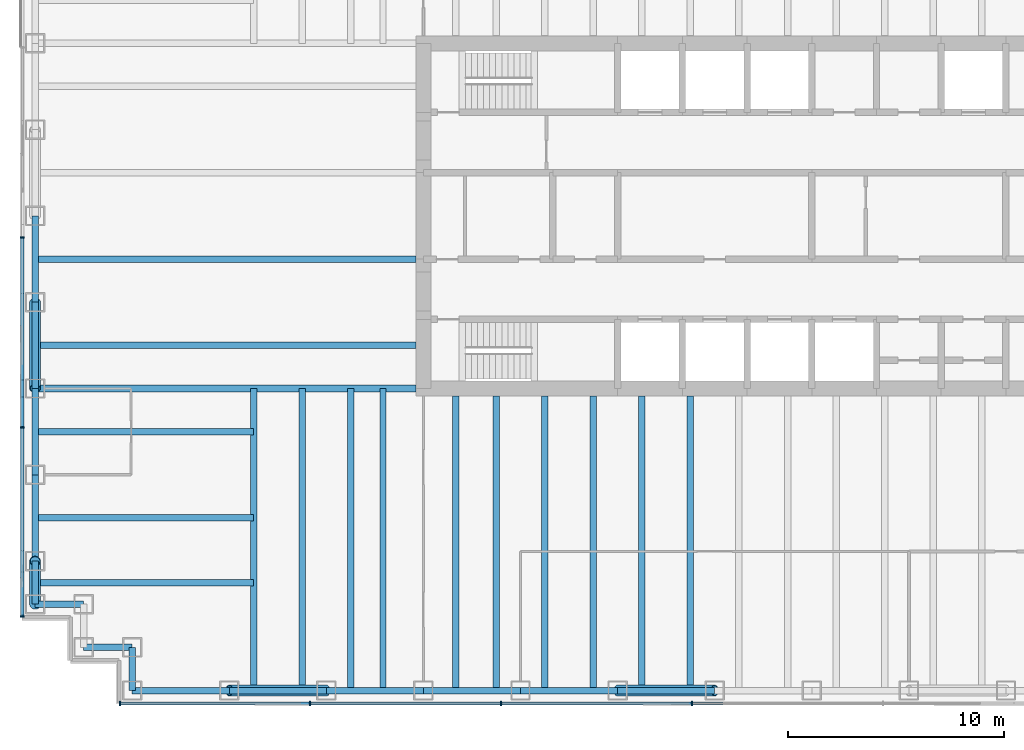
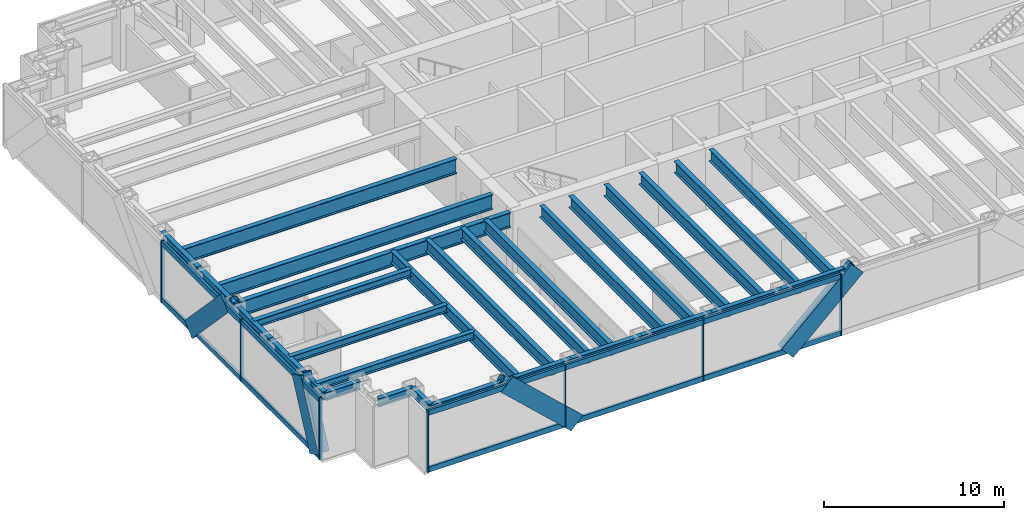
# One storey, part 2 of 15: 30 beams, 25 members, 2 elements without a shape of their own.
"""IFC4 building model written with IfcOpenShell, lengths in metres."""

from ifc_helpers import new_model, si_unit, direction, frame, origin, origin_2d, place, context, subcontext, project, spatial, rectangle, hollow_circle, i_section, extrude, material, material_profile, profile_set, type_object, element, aggregate, save


model = new_model("IFC4")

# Units and contexts
model_context = context("Model", 3, precision=1e-05, world=origin(), true_north=direction((0.0, 1.0)))
body_context = subcontext(model_context, "Body", "Model", "MODEL_VIEW")
ifc_project = project(units=[si_unit("LENGTHUNIT", "METRE"), si_unit("AREAUNIT", "SQUARE_METRE"), si_unit("VOLUMEUNIT", "CUBIC_METRE"), si_unit("PLANEANGLEUNIT", "RADIAN"), si_unit("MASSUNIT", "GRAM", prefix="KILO")], contexts=[model_context])

# Site, building, storey
site_placement = place(None, origin())
site = spatial("IfcSite", under=ifc_project, at=site_placement, CompositionType="ELEMENT")
building_placement = place(site_placement, origin())
building = spatial("IfcBuilding", under=site, at=building_placement, Name="Rheinbord Bourse Tower", CompositionType="ELEMENT")
storey_placement = place(building_placement, frame((0.0, 0.0, 296.300048828125)))
storey = spatial("IfcBuildingStorey", under=building, at=storey_placement, Name="L67", CompositionType="ELEMENT", Elevation=296.300048828125)

# Curtain wall, members
ifc_material_1 = material(Name="Dark glass and black aluminium", Category="aluminium")
curtain_wall_type = type_object("IfcCurtainWallType", Name="CW3 DARK GLASS CURTAIN WALL", PredefinedType="USERDEFINED", material=ifc_material_1)
curtain_wall_1_placement = place(storey_placement, origin())
curtain_wall_1 = element("IfcCurtainWall", 1, at=curtain_wall_1_placement, inside=storey, type_object=curtain_wall_type, Name="Curtain wall CW3 S L67", ObjectType="UNITISED CURTAIN WALL", PredefinedType="USERDEFINED")
ifc_material_2 = material(Name="Black anodised aluminium", Category="aluminium")
ifc_material_profile_1 = material_profile(ifc_material_2, rectangle(XDim=0.14990234375, YDim=1.10791015625, at=origin_2d()), Name="CW3 DIAGONAL MULLION 1108x150")
ifc_profile_set_1 = profile_set([ifc_material_profile_1], Name="Black anodised aluminium")
member_type_1 = type_object("IfcMemberType", Name="CW3 BLACK DIAGONAL MULLION", PredefinedType="USERDEFINED", material=ifc_profile_set_1)
member_1_placement = place(storey_placement, frame((13.5, 1.39990234375, 0.0), z_axis=(-0.73105922506, 0.0, 0.682314010889), x_axis=(0.0, -1.0, 0.0)))
member_1 = element("IfcMember", 2, at=member_1_placement, type_object=member_type_1, Name="CW3 diagonal mullion b", ObjectType="DIAGONAL MULLION", PredefinedType="USERDEFINED", context=body_context, shape_type="SweptSolid", body=[
    extrude(rectangle(XDim=0.14990234375, YDim=1.10791015625, at=origin_2d()), origin(), (0.0, 0.0, 1.0), 6.155517578125),
])
member_2_placement = place(storey_placement, frame((27.0, 1.39990234375, 0.0), z_axis=(0.73105922506, 0.0, 0.682314010889), x_axis=(0.0, 1.0, 0.0)))
member_2 = element("IfcMember", 3, at=member_2_placement, type_object=member_type_1, Name="CW3 diagonal mullion d", ObjectType="DIAGONAL MULLION", PredefinedType="USERDEFINED", context=body_context, shape_type="SweptSolid", body=[
    extrude(rectangle(XDim=0.14990234375, YDim=1.10791015625, at=origin_2d()), origin(), (0.0, 0.0, 1.0), 6.155517578125),
])

curtain_wall_2_placement = place(storey_placement, origin())
curtain_wall_2 = element("IfcCurtainWall", 4, at=curtain_wall_2_placement, inside=storey, type_object=curtain_wall_type, Name="Curtain wall CW3 W L67", ObjectType="UNITISED CURTAIN WALL", PredefinedType="USERDEFINED")
member_3_placement = place(storey_placement, frame((-0.60009765625, 20.0, 0.0), z_axis=(0.0, -0.689659376744, 0.724133926887), x_axis=(1.0, 0.0, 0.0)))
member_3 = element("IfcMember", 5, at=member_3_placement, type_object=member_type_1, Name="CW3 diagonal mullion a", ObjectType="DIAGONAL MULLION", PredefinedType="USERDEFINED", context=body_context, shape_type="SweptSolid", body=[
    extrude(rectangle(XDim=0.14990234375, YDim=1.10791015625, at=origin_2d()), origin(), (0.0, 0.0, 1.0), 5.800048828125),
])
member_4_placement = place(storey_placement, frame((-0.60009765625, 6.0, 0.0), z_axis=(0.0, 0.429937654825, 0.902858578607), x_axis=(-1.0, 0.0, 0.0)))
member_4 = element("IfcMember", 6, at=member_4_placement, type_object=member_type_1, Name="CW3 diagonal mullion c", ObjectType="DIAGONAL MULLION", PredefinedType="USERDEFINED", context=body_context, shape_type="SweptSolid", body=[
    extrude(rectangle(XDim=0.14990234375, YDim=1.10791015625, at=origin_2d()), origin(), (0.0, 0.0, 1.0), 4.65185546875),
])

# Member
ifc_material_3 = material(Name="Black anodised aluminium", Category="aluminium")
ifc_material_profile_2 = material_profile(ifc_material_3, rectangle(XDim=0.199951171875, YDim=0.06494140625, at=origin_2d()), Name="CW3 MULLION 65x200")
ifc_profile_set_2 = profile_set([ifc_material_profile_2], Name="Black anodised aluminium")
member_type_2 = type_object("IfcMemberType", Name="CW3 BLACK MULLION", PredefinedType="MULLION", material=ifc_profile_set_2)
member_5_placement = place(storey_placement, frame((3.9326171875, 1.39990234375, 0.0), z_axis=(0.0, 0.0, 1.0), x_axis=(0.0, 1.0, 0.0)))
member_5 = element("IfcMember", 7, at=member_5_placement, type_object=member_type_2, Name="CW3 mullion 1", PredefinedType="MULLION", context=body_context, shape_type="SweptSolid", body=[
    extrude(rectangle(XDim=0.199951171875, YDim=0.06494140625, at=origin_2d()), origin(), (0.0, 0.0, 1.0), 4.199951171875),
])

member_6_placement = place(storey_placement, frame((12.75, 1.39990234375, 0.0), z_axis=(0.0, 0.0, 1.0), x_axis=(0.0, 1.0, 0.0)))
member_6 = element("IfcMember", 8, at=member_6_placement, type_object=member_type_2, Name="CW3 mullion 2", PredefinedType="MULLION", context=body_context, shape_type="SweptSolid", body=[
    extrude(rectangle(XDim=0.199951171875, YDim=0.06494140625, at=origin_2d()), origin(), (0.0, 0.0, 1.0), 4.199951171875),
])

member_7_placement = place(storey_placement, frame((21.60009765625, 1.39990234375, 0.0), z_axis=(0.0, 0.0, 1.0), x_axis=(0.0, 1.0, 0.0)))
member_7 = element("IfcMember", 9, at=member_7_placement, type_object=member_type_2, Name="CW3 mullion 3", PredefinedType="MULLION", context=body_context, shape_type="SweptSolid", body=[
    extrude(rectangle(XDim=0.199951171875, YDim=0.06494140625, at=origin_2d()), origin(), (0.0, 0.0, 1.0), 4.199951171875),
])

member_8_placement = place(storey_placement, frame((30.449951171875, 1.39990234375, 0.0), z_axis=(0.0, 0.0, 1.0), x_axis=(0.0, 1.0, 0.0)))
member_8 = element("IfcMember", 10, at=member_8_placement, type_object=member_type_2, Name="CW3 mullion 4", PredefinedType="MULLION", context=body_context, shape_type="SweptSolid", body=[
    extrude(rectangle(XDim=0.199951171875, YDim=0.06494140625, at=origin_2d()), origin(), (0.0, 0.0, 1.0), 4.199951171875),
])

member_9_placement = place(storey_placement, frame((-0.60009765625, 23.0, 0.0), z_axis=(0.0, 0.0, 1.0), x_axis=(1.0, 0.0, 0.0)))
member_9 = element("IfcMember", 11, at=member_9_placement, type_object=member_type_2, Name="CW3 mullion 3", PredefinedType="MULLION", context=body_context, shape_type="SweptSolid", body=[
    extrude(rectangle(XDim=0.199951171875, YDim=0.06494140625, at=origin_2d()), origin(), (0.0, 0.0, 1.0), 4.199951171875),
])

member_10_placement = place(storey_placement, frame((-0.60009765625, 14.199951171875, 0.0), z_axis=(0.0, 0.0, 1.0), x_axis=(1.0, 0.0, 0.0)))
member_10 = element("IfcMember", 12, at=member_10_placement, type_object=member_type_2, Name="CW3 mullion 4", PredefinedType="MULLION", context=body_context, shape_type="SweptSolid", body=[
    extrude(rectangle(XDim=0.199951171875, YDim=0.06494140625, at=origin_2d()), origin(), (0.0, 0.0, 1.0), 4.199951171875),
])

member_11_placement = place(storey_placement, frame((-0.60009765625, 5.4326171875, 0.0), z_axis=(0.0, 0.0, 1.0), x_axis=(1.0, 0.0, 0.0)))
member_11 = element("IfcMember", 13, at=member_11_placement, type_object=member_type_2, Name="CW3 mullion 5", PredefinedType="MULLION", context=body_context, shape_type="SweptSolid", body=[
    extrude(rectangle(XDim=0.199951171875, YDim=0.06494140625, at=origin_2d()), origin(), (0.0, 0.0, 1.0), 4.199951171875),
])

ifc_material_4 = material(Name="Black anodised aluminium", Category="aluminium")
ifc_material_profile_3 = material_profile(ifc_material_4, rectangle(XDim=0.14990234375, YDim=0.35009765625, at=origin_2d()), Name="CW3 TRANSOM 350x150")
ifc_profile_set_3 = profile_set([ifc_material_profile_3], Name="Black anodised aluminium")
member_type_3 = type_object("IfcMemberType", Name="CW3 BLACK TRANSOM", PredefinedType="USERDEFINED", material=ifc_profile_set_3)
member_12_placement = place(storey_placement, frame((3.965087890625, 1.39990234375, 0.175048828125), z_axis=(1.0, 0.0, 0.0), x_axis=(0.0, 1.0, 0.0)))
member_12 = element("IfcMember", 14, at=member_12_placement, type_object=member_type_3, Name="CW3 transom 1.1", ObjectType="TRANSOM", PredefinedType="USERDEFINED", context=body_context, shape_type="SweptSolid", body=[
    extrude(rectangle(XDim=0.14990234375, YDim=0.35009765625, at=origin_2d()), origin(), (0.0, 0.0, 1.0), 8.75244140625),
])

member_13_placement = place(storey_placement, frame((3.965087890625, 1.39990234375, 4.02490234375), z_axis=(1.0, 0.0, 0.0), x_axis=(0.0, 1.0, 0.0)))
member_13 = element("IfcMember", 15, at=member_13_placement, type_object=member_type_3, Name="CW3 transom 1.2", ObjectType="TRANSOM", PredefinedType="USERDEFINED", context=body_context, shape_type="SweptSolid", body=[
    extrude(rectangle(XDim=0.14990234375, YDim=0.35009765625, at=origin_2d()), origin(), (0.0, 0.0, 1.0), 8.75244140625),
])

member_14_placement = place(storey_placement, frame((12.782470703125, 1.39990234375, 0.175048828125), z_axis=(1.0, 0.0, 0.0), x_axis=(0.0, 1.0, 0.0)))
member_14 = element("IfcMember", 16, at=member_14_placement, type_object=member_type_3, Name="CW3 transom 2.1", ObjectType="TRANSOM", PredefinedType="USERDEFINED", context=body_context, shape_type="SweptSolid", body=[
    extrude(rectangle(XDim=0.14990234375, YDim=0.35009765625, at=origin_2d()), origin(), (0.0, 0.0, 1.0), 8.784912109375),
])

member_15_placement = place(storey_placement, frame((12.782470703125, 1.39990234375, 4.02490234375), z_axis=(1.0, 0.0, 0.0), x_axis=(0.0, 1.0, 0.0)))
member_15 = element("IfcMember", 17, at=member_15_placement, type_object=member_type_3, Name="CW3 transom 2.2", ObjectType="TRANSOM", PredefinedType="USERDEFINED", context=body_context, shape_type="SweptSolid", body=[
    extrude(rectangle(XDim=0.14990234375, YDim=0.35009765625, at=origin_2d()), origin(), (0.0, 0.0, 1.0), 8.784912109375),
])

member_16_placement = place(storey_placement, frame((21.632568359375, 1.39990234375, 0.175048828125), z_axis=(1.0, 0.0, 0.0), x_axis=(0.0, 1.0, 0.0)))
member_16 = element("IfcMember", 18, at=member_16_placement, type_object=member_type_3, Name="CW3 transom 3.1", ObjectType="TRANSOM", PredefinedType="USERDEFINED", context=body_context, shape_type="SweptSolid", body=[
    extrude(rectangle(XDim=0.14990234375, YDim=0.35009765625, at=origin_2d()), origin(), (0.0, 0.0, 1.0), 8.784912109375),
])

member_17_placement = place(storey_placement, frame((21.632568359375, 1.39990234375, 4.02490234375), z_axis=(1.0, 0.0, 0.0), x_axis=(0.0, 1.0, 0.0)))
member_17 = element("IfcMember", 19, at=member_17_placement, type_object=member_type_3, Name="CW3 transom 3.2", ObjectType="TRANSOM", PredefinedType="USERDEFINED", context=body_context, shape_type="SweptSolid", body=[
    extrude(rectangle(XDim=0.14990234375, YDim=0.35009765625, at=origin_2d()), origin(), (0.0, 0.0, 1.0), 8.784912109375),
])

aggregate(curtain_wall_1, [member_5, member_6, member_7, member_8, member_12, member_13, member_14, member_15, member_16, member_17, member_1, member_2])

member_18_placement = place(storey_placement, frame((-0.60009765625, 22.967529296875, 0.175048828125), z_axis=(0.0, -1.0, 0.0), x_axis=(1.0, 0.0, 0.0)))
member_18 = element("IfcMember", 20, at=member_18_placement, type_object=member_type_3, Name="CW3 transom 3.1", ObjectType="TRANSOM", PredefinedType="USERDEFINED", context=body_context, shape_type="SweptSolid", body=[
    extrude(rectangle(XDim=0.14990234375, YDim=0.35009765625, at=origin_2d()), origin(), (0.0, 0.0, 1.0), 8.735107421875),
])

member_19_placement = place(storey_placement, frame((-0.60009765625, 22.967529296875, 4.02490234375), z_axis=(0.0, -1.0, 0.0), x_axis=(1.0, 0.0, 0.0)))
member_19 = element("IfcMember", 21, at=member_19_placement, type_object=member_type_3, Name="CW3 transom 3.2", ObjectType="TRANSOM", PredefinedType="USERDEFINED", context=body_context, shape_type="SweptSolid", body=[
    extrude(rectangle(XDim=0.14990234375, YDim=0.35009765625, at=origin_2d()), origin(), (0.0, 0.0, 1.0), 8.735107421875),
])

member_20_placement = place(storey_placement, frame((-0.60009765625, 14.16748046875, 0.175048828125), z_axis=(0.0, -1.0, 0.0), x_axis=(1.0, 0.0, 0.0)))
member_20 = element("IfcMember", 22, at=member_20_placement, type_object=member_type_3, Name="CW3 transom 4.1", ObjectType="TRANSOM", PredefinedType="USERDEFINED", context=body_context, shape_type="SweptSolid", body=[
    extrude(rectangle(XDim=0.14990234375, YDim=0.35009765625, at=origin_2d()), origin(), (0.0, 0.0, 1.0), 8.702392578125),
])

member_21_placement = place(storey_placement, frame((-0.60009765625, 14.16748046875, 4.02490234375), z_axis=(0.0, -1.0, 0.0), x_axis=(1.0, 0.0, 0.0)))
member_21 = element("IfcMember", 23, at=member_21_placement, type_object=member_type_3, Name="CW3 transom 4.2", ObjectType="TRANSOM", PredefinedType="USERDEFINED", context=body_context, shape_type="SweptSolid", body=[
    extrude(rectangle(XDim=0.14990234375, YDim=0.35009765625, at=origin_2d()), origin(), (0.0, 0.0, 1.0), 8.702392578125),
])

aggregate(curtain_wall_2, [member_9, member_10, member_11, member_18, member_19, member_20, member_21, member_3, member_4])

# Beams
ifc_material_5 = material(Name="Steel S460", Category="steel")
ifc_material_profile_4 = material_profile(ifc_material_5, i_section(OverallWidth=0.302001953125, OverallDepth=1.008056640625, WebThickness=0.02099609375, FlangeThickness=0.0400390625, at=origin_2d()), Name="HEM 1000")
ifc_profile_set_4 = profile_set([ifc_material_profile_4], Name="Steel S460")
beam_type_1 = type_object("IfcBeamType", Name="END BEAM HEM 1000", PredefinedType="BEAM", material=ifc_profile_set_4)
for number, where, z_axis, x_axis, name in (
    (24, (0.0, 18.0, 3.535888671875), (1.0, 0.0, 0.0), (0.0, 1.0, 0.0), "End beam west 18 L68"),
    (25, (0.0, 22.0, 3.535888671875), (1.0, 0.0, 0.0), (0.0, 1.0, 0.0), "End beam west 22 L68"),
):
    element("IfcBeam", number, at=place(storey_placement, frame(where, z_axis=z_axis, x_axis=x_axis)), inside=storey, type_object=beam_type_1, Name=name, PredefinedType="BEAM", context=body_context, shape_type="SweptSolid", body=[
        extrude(i_section(OverallWidth=0.302001953125, OverallDepth=1.008056640625, WebThickness=0.02099609375, FlangeThickness=0.0400390625, at=origin_2d()), origin(), (0.0, 0.0, 1.0), 17.64990234375),
    ])
ifc_material_6 = material(Name="Steel S460", Category="steel")
ifc_material_profile_5 = material_profile(ifc_material_6, i_section(OverallWidth=0.300048828125, OverallDepth=0.800048828125, WebThickness=0.017578125, FlangeThickness=0.032958984375, at=origin_2d()), Name="HEB 800")
ifc_profile_set_5 = profile_set([ifc_material_profile_5], Name="Steel S460")
beam_type_2 = type_object("IfcBeamType", Name="FLOOR BEAM HEB 800", PredefinedType="BEAM", material=ifc_profile_set_5)
for number, where, z_axis, x_axis, name in (
    (26, (10.125, 2.0, 3.639892578125), (0.0, 1.0, 0.0), (-1.0, 0.0, 0.0), "Floor beam S-9a L68"),
    (27, (12.375, 2.0, 3.639892578125), (0.0, 1.0, 0.0), (-1.0, 0.0, 0.0), "Floor beam S-9b L68"),
    (28, (14.625, 2.0, 3.639892578125), (0.0, 1.0, 0.0), (-1.0, 0.0, 0.0), "Floor beam S-13.5a L68"),
    (29, (16.125, 2.0, 3.639892578125), (0.0, 1.0, 0.0), (-1.0, 0.0, 0.0), "Floor beam S-13.5b L68"),
):
    element("IfcBeam", number, at=place(storey_placement, frame(where, z_axis=z_axis, x_axis=x_axis)), inside=storey, type_object=beam_type_2, Name=name, PredefinedType="BEAM", context=body_context, shape_type="SweptSolid", body=[
        extrude(i_section(OverallWidth=0.300048828125, OverallDepth=0.800048828125, WebThickness=0.017578125, FlangeThickness=0.032958984375, at=origin_2d()), origin(), (0.0, 0.0, 1.0), 14.0),
    ])
for number, where, z_axis, x_axis, name in (
    (30, (19.5, 2.0, 3.639892578125), (0.0, 1.0, 0.0), (-1.0, 0.0, 0.0), "Floor beam S-18a L68"),
    (31, (21.375, 2.0, 3.639892578125), (0.0, 1.0, 0.0), (-1.0, 0.0, 0.0), "Floor beam S-18b L68"),
    (32, (23.625, 2.0, 3.639892578125), (0.0, 1.0, 0.0), (-1.0, 0.0, 0.0), "Floor beam S-22.5a L68"),
    (33, (25.875, 2.0, 3.639892578125), (0.0, 1.0, 0.0), (-1.0, 0.0, 0.0), "Floor beam S-22.5b L68"),
    (34, (28.125, 2.0, 3.639892578125), (0.0, 1.0, 0.0), (-1.0, 0.0, 0.0), "Floor beam S-27a L68"),
    (35, (30.375, 2.0, 3.639892578125), (0.0, 1.0, 0.0), (-1.0, 0.0, 0.0), "Floor beam S-27b L68"),
):
    element("IfcBeam", number, at=place(storey_placement, frame(where, z_axis=z_axis, x_axis=x_axis)), inside=storey, type_object=beam_type_2, Name=name, PredefinedType="BEAM", context=body_context, shape_type="SweptSolid", body=[
        extrude(i_section(OverallWidth=0.300048828125, OverallDepth=0.800048828125, WebThickness=0.017578125, FlangeThickness=0.032958984375, at=origin_2d()), origin(), (0.0, 0.0, 1.0), 13.64990234375),
    ])
ifc_material_7 = material(Name="Steel S460", Category="steel")
ifc_material_profile_6 = material_profile(ifc_material_7, i_section(OverallWidth=0.302001953125, OverallDepth=1.008056640625, WebThickness=0.02099609375, FlangeThickness=0.0400390625, at=origin_2d()), Name="HEM 1000")
ifc_profile_set_6 = profile_set([ifc_material_profile_6], Name="Steel S460")
beam_type_3 = type_object("IfcBeamType", Name="GIRDER HEM 1000", PredefinedType="BEAM", material=ifc_profile_set_6)
beam_1_placement = place(storey_placement, frame((0.0, 16.0, 3.535888671875), z_axis=(1.0, 0.0, 0.0), x_axis=(0.0, 1.0, 0.0)))
element("IfcBeam", 36, at=beam_1_placement, inside=storey, type_object=beam_type_3, Name="Girder west 16 L68", PredefinedType="BEAM", context=body_context, shape_type="SweptSolid", body=[
    extrude(i_section(OverallWidth=0.302001953125, OverallDepth=1.008056640625, WebThickness=0.02099609375, FlangeThickness=0.0400390625, at=origin_2d()), origin(), (0.0, 0.0, 1.0), 17.64990234375),
])

# Members
ifc_material_8 = material(Name="Steel S460", Category="steel")
ifc_material_profile_7 = material_profile(ifc_material_8, hollow_circle(Radius=0.25390625, WallThickness=0.030029296875, at=origin_2d()), Name="CHS 508x30")
ifc_profile_set_7 = profile_set([ifc_material_profile_7], Name="Steel S460")
member_type_4 = type_object("IfcMemberType", Name="MEGABRACE CHS 508x30", PredefinedType="BRACE", material=ifc_profile_set_7)
for number, where, z_axis, x_axis, name in (
    (37, (13.5, 2.0, 0.0), (-0.73105922506, 0.0, 0.682314010889), (0.0, -1.0, 0.0), "Megabrace S face line b L67"),
    (38, (27.0, 2.0, 0.0), (0.73105922506, 0.0, 0.682314010889), (0.0, 1.0, 0.0), "Megabrace S face line d L67"),
):
    element("IfcMember", number, at=place(storey_placement, frame(where, z_axis=z_axis, x_axis=x_axis)), inside=storey, type_object=member_type_4, Name=name, PredefinedType="BRACE", context=body_context, shape_type="SweptSolid", body=[
        extrude(hollow_circle(Radius=0.25390625, WallThickness=0.030029296875, at=origin_2d()), origin(), (0.0, 0.0, 1.0), 6.155517578125),
    ])
member_22_placement = place(storey_placement, frame((0.0, 20.0, 0.0), z_axis=(0.0, -0.689659376744, 0.724133926887), x_axis=(1.0, 0.0, 0.0)))
element("IfcMember", 39, at=member_22_placement, inside=storey, type_object=member_type_4, Name="Megabrace W face line a L67", PredefinedType="BRACE", context=body_context, shape_type="SweptSolid", body=[
    extrude(hollow_circle(Radius=0.25390625, WallThickness=0.030029296875, at=origin_2d()), origin(), (0.0, 0.0, 1.0), 5.800048828125),
])
member_23_placement = place(storey_placement, frame((0.0, 6.0, 0.0), z_axis=(0.0, 0.429937654825, 0.902858578607), x_axis=(-1.0, 0.0, 0.0)))
element("IfcMember", 40, at=member_23_placement, inside=storey, type_object=member_type_4, Name="Megabrace W face line c L67", PredefinedType="BRACE", context=body_context, shape_type="SweptSolid", body=[
    extrude(hollow_circle(Radius=0.25390625, WallThickness=0.030029296875, at=origin_2d()), origin(), (0.0, 0.0, 1.0), 4.65185546875),
])

# Beams
ifc_material_9 = material(Name="Steel S460", Category="steel")
ifc_material_profile_8 = material_profile(ifc_material_9, i_section(OverallWidth=0.300048828125, OverallDepth=0.550048828125, WebThickness=0.014892578125, FlangeThickness=0.029052734375, at=origin_2d()), Name="HEB 550")
ifc_profile_set_8 = profile_set([ifc_material_profile_8], Name="Steel S460")
beam_type_4 = type_object("IfcBeamType", Name="SPANDREL HEB 550", PredefinedType="SPANDREL", material=ifc_profile_set_8)
for number, where, z_axis, x_axis, name in (
    (41, (4.5, 2.0, 3.764892578125), (1.0, 0.0, 0.0), (0.0, 1.0, 0.0), "Spandrel SW-E-S-9 under L68"),
    (42, (9.0, 2.0, 3.764892578125), (1.0, 0.0, 0.0), (0.0, 1.0, 0.0), "Spandrel S-9-S-13.5 under L68"),
    (43, (13.5, 2.0, 3.764892578125), (1.0, 0.0, 0.0), (0.0, 1.0, 0.0), "Spandrel S-13.5-S-18 under L68"),
    (44, (18.0, 2.0, 3.764892578125), (1.0, 0.0, 0.0), (0.0, 1.0, 0.0), "Spandrel S-18-S-22.5 under L68"),
    (45, (22.5, 2.0, 3.764892578125), (1.0, 0.0, 0.0), (0.0, 1.0, 0.0), "Spandrel S-22.5-S-27 under L68"),
    (46, (27.0, 2.0, 3.764892578125), (1.0, 0.0, 0.0), (0.0, 1.0, 0.0), "Spandrel S-27-S-31.5 under L68"),
):
    element("IfcBeam", number, at=place(storey_placement, frame(where, z_axis=z_axis, x_axis=x_axis)), inside=storey, type_object=beam_type_4, Name=name, PredefinedType="SPANDREL", context=body_context, shape_type="SweptSolid", body=[
        extrude(i_section(OverallWidth=0.300048828125, OverallDepth=0.550048828125, WebThickness=0.014892578125, FlangeThickness=0.029052734375, at=origin_2d()), origin(), (0.0, 0.0, 1.0), 4.5),
    ])
for number, where, z_axis, x_axis, name in (
    (47, (0.0, 24.0, 3.764892578125), (0.0, -1.0, 0.0), (1.0, 0.0, 0.0), "Spandrel W-24-W-20 under L68"),
    (48, (0.0, 20.0, 3.764892578125), (0.0, -1.0, 0.0), (1.0, 0.0, 0.0), "Spandrel W-20-W-16 under L68"),
    (49, (0.0, 16.0, 3.764892578125), (0.0, -1.0, 0.0), (1.0, 0.0, 0.0), "Spandrel W-16-W-12 under L68"),
    (50, (0.0, 12.0, 3.764892578125), (0.0, -1.0, 0.0), (1.0, 0.0, 0.0), "Spandrel W-12-W-8 under L68"),
):
    element("IfcBeam", number, at=place(storey_placement, frame(where, z_axis=z_axis, x_axis=x_axis)), inside=storey, type_object=beam_type_4, Name=name, PredefinedType="SPANDREL", context=body_context, shape_type="SweptSolid", body=[
        extrude(i_section(OverallWidth=0.300048828125, OverallDepth=0.550048828125, WebThickness=0.014892578125, FlangeThickness=0.029052734375, at=origin_2d()), origin(), (0.0, 0.0, 1.0), 4.0),
    ])
beam_2_placement = place(storey_placement, frame((0.0, 8.0, 3.764892578125), z_axis=(0.0, -1.0, 0.0), x_axis=(1.0, 0.0, 0.0)))
element("IfcBeam", 51, at=beam_2_placement, inside=storey, type_object=beam_type_4, Name="Spandrel W-8-SW-A under L68", PredefinedType="SPANDREL", context=body_context, shape_type="SweptSolid", body=[
    extrude(i_section(OverallWidth=0.300048828125, OverallDepth=0.550048828125, WebThickness=0.014892578125, FlangeThickness=0.029052734375, at=origin_2d()), origin(), (0.0, 0.0, 1.0), 2.0),
])
for number, where, z_axis, x_axis, name in (
    (52, (0.0, 6.0, 3.764892578125), (1.0, 0.0, 0.0), (0.0, 1.0, 0.0), "Spandrel SW-A-SW-B under L68"),
    (53, (2.25, 4.0, 3.764892578125), (1.0, 0.0, 0.0), (0.0, 1.0, 0.0), "Spandrel SW-C-SW-D under L68"),
):
    element("IfcBeam", number, at=place(storey_placement, frame(where, z_axis=z_axis, x_axis=x_axis)), inside=storey, type_object=beam_type_4, Name=name, PredefinedType="SPANDREL", context=body_context, shape_type="SweptSolid", body=[
        extrude(i_section(OverallWidth=0.300048828125, OverallDepth=0.550048828125, WebThickness=0.014892578125, FlangeThickness=0.029052734375, at=origin_2d()), origin(), (0.0, 0.0, 1.0), 2.25),
    ])
beam_3_placement = place(storey_placement, frame((4.5, 4.0, 3.764892578125), z_axis=(0.0, -1.0, 0.0), x_axis=(1.0, 0.0, 0.0)))
element("IfcBeam", 54, at=beam_3_placement, inside=storey, type_object=beam_type_4, Name="Spandrel SW-D-SW-E under L68", PredefinedType="SPANDREL", context=body_context, shape_type="SweptSolid", body=[
    extrude(i_section(OverallWidth=0.300048828125, OverallDepth=0.550048828125, WebThickness=0.014892578125, FlangeThickness=0.029052734375, at=origin_2d()), origin(), (0.0, 0.0, 1.0), 2.0),
])
ifc_material_10 = material(Name="Steel S460", Category="steel")
ifc_material_profile_9 = material_profile(ifc_material_10, i_section(OverallWidth=0.300048828125, OverallDepth=0.5, WebThickness=0.014404296875, FlangeThickness=0.028076171875, at=origin_2d()), Name="HEB 500")
ifc_profile_set_9 = profile_set([ifc_material_profile_9], Name="Steel S460")
beam_type_5 = type_object("IfcBeamType", Name="TIE BEAM HEB 500", PredefinedType="JOIST", material=ifc_profile_set_9)
for number, where, z_axis, x_axis, name in (
    (55, (0.0, 7.0, 3.7900390625), (1.0, 0.0, 0.0), (0.0, 1.0, 0.0), "Tie west 7 L68"),
    (56, (0.0, 10.0, 3.7900390625), (1.0, 0.0, 0.0), (0.0, 1.0, 0.0), "Tie west 10 L68"),
    (57, (0.0, 14.0, 3.7900390625), (1.0, 0.0, 0.0), (0.0, 1.0, 0.0), "Tie west 14 L68"),
):
    element("IfcBeam", number, at=place(storey_placement, frame(where, z_axis=z_axis, x_axis=x_axis)), inside=storey, type_object=beam_type_5, Name=name, PredefinedType="JOIST", context=body_context, shape_type="SweptSolid", body=[
        extrude(i_section(OverallWidth=0.300048828125, OverallDepth=0.5, WebThickness=0.014404296875, FlangeThickness=0.028076171875, at=origin_2d()), origin(), (0.0, 0.0, 1.0), 10.125),
    ])

save(model, "model.ifc")
